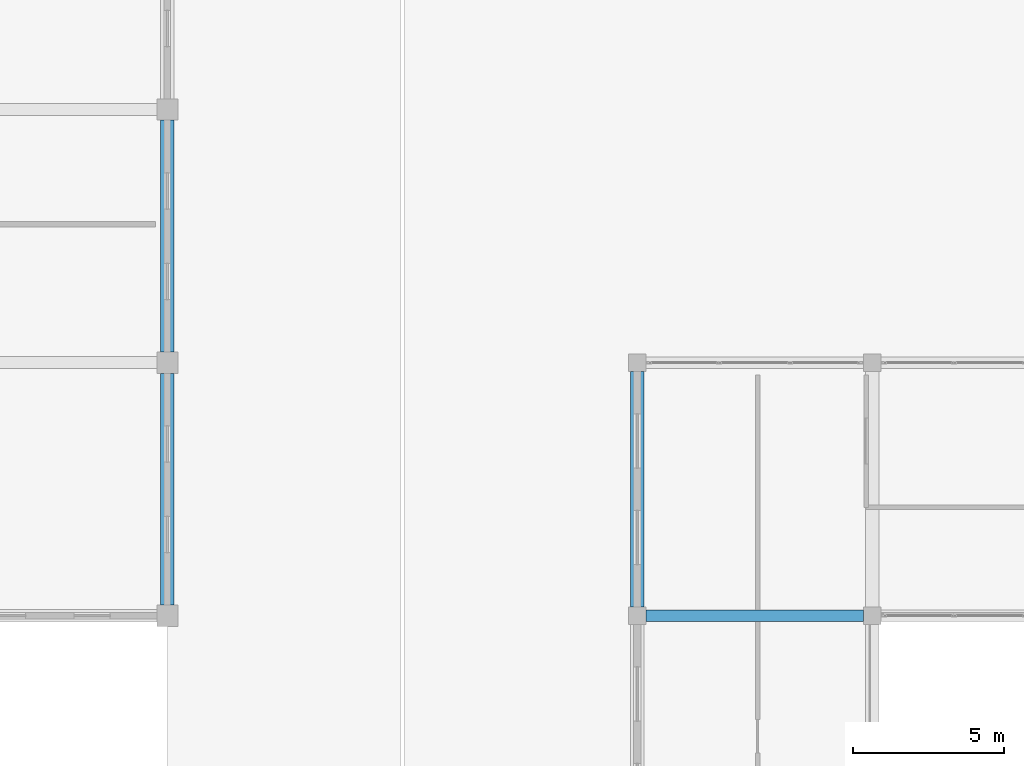
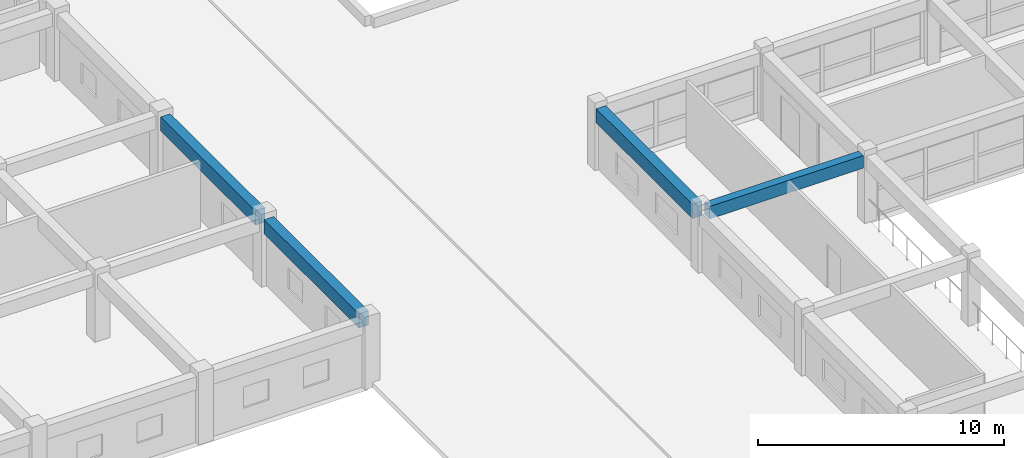
# One storey, part 65 of 101: 4 beams.
"""IFC4 building model written with IfcOpenShell, lengths in metres."""

from ifc_helpers import new_model, si_unit, direction, frame, origin, origin_2d, place, context, subcontext, project, spatial, rectangle, extrude, material, material_profile, profile_set, type_object, element, save


model = new_model("IFC4")

# Units and contexts
model_context = context("Model", 3, precision=1e-05, world=origin(), true_north=direction((0.0, 1.0)))
body_context = subcontext(model_context, "Body", "Model", "MODEL_VIEW")
ifc_project = project(units=[si_unit("LENGTHUNIT", "METRE"), si_unit("AREAUNIT", "SQUARE_METRE"), si_unit("VOLUMEUNIT", "CUBIC_METRE"), si_unit("PLANEANGLEUNIT", "RADIAN"), si_unit("MASSUNIT", "GRAM", prefix="KILO")], contexts=[model_context])

# Site, building, storey
site_placement = place(None, origin())
site = spatial("IfcSite", under=ifc_project, at=site_placement, CompositionType="ELEMENT")
building_placement = place(site_placement, origin())
building = spatial("IfcBuilding", under=site, at=building_placement, Name="Zizhar Promenade General Hospital", CompositionType="ELEMENT")
storey_placement = place(building_placement, frame((0.0, 0.0, 14.39990234375)))
storey = spatial("IfcBuildingStorey", under=building, at=storey_placement, Name="L03", CompositionType="ELEMENT", Elevation=14.39990234375)

# Beams
ifc_material_1 = material(Name="Concrete C35/45", Category="concrete")
ifc_material_profile_1 = material_profile(ifc_material_1, rectangle(XDim=0.3798828125, YDim=0.6201171875, at=origin_2d()))
ifc_profile_set_1 = profile_set([ifc_material_profile_1], Name="Concrete C35/45")
beam_type_1 = type_object("IfcBeamType", Name="BM-RC-380x620", PredefinedType="JOIST", material=ifc_profile_set_1)
beam_1_placement = place(storey_placement, frame((140.68994140625, 92.39990234375, 3.0), z_axis=(1.0, 0.0, 0.0), x_axis=(0.0, 1.0, 0.0)))
element("IfcBeam", 1, at=beam_1_placement, inside=storey, type_object=beam_type_1, Name="Grid Beam X L03 (18-11)", PredefinedType="JOIST", context=body_context, shape_type="SweptSolid", body=[
    extrude(rectangle(XDim=0.3798828125, YDim=0.6201171875, at=origin_2d()), origin(), (0.0, 0.0, 1.0), 7.219970703125),
])
ifc_material_2 = material(Name="Concrete C35/45", Category="concrete")
ifc_material_profile_2 = material_profile(ifc_material_2, rectangle(XDim=0.449951171875, YDim=0.699951171875, at=origin_2d()))
ifc_profile_set_2 = profile_set([ifc_material_profile_2], Name="Concrete C35/45")
beam_type_2 = type_object("IfcBeamType", Name="BM-RC-450x700", PredefinedType="BEAM", material=ifc_profile_set_2)
beam_2_placement = place(storey_placement, frame((124.800048828125, 92.75, 2.960205078125), z_axis=(0.0, 1.0, 0.0), x_axis=(-1.0, 0.0, 0.0)))
element("IfcBeam", 2, at=beam_2_placement, inside=storey, type_object=beam_type_2, Name="Grid Beam Y L03 (16-11)", PredefinedType="BEAM", context=body_context, shape_type="SweptSolid", body=[
    extrude(rectangle(XDim=0.449951171875, YDim=0.699951171875, at=origin_2d()), origin(), (0.0, 0.0, 1.0), 7.699951171875),
])
beam_3_placement = place(storey_placement, frame((124.800048828125, 101.14990234375, 2.960205078125), z_axis=(0.0, 1.0, 0.0), x_axis=(-1.0, 0.0, 0.0)))
element("IfcBeam", 3, at=beam_3_placement, inside=storey, type_object=beam_type_2, Name="Grid Beam Y L03 (16-12)", PredefinedType="BEAM", context=body_context, shape_type="SweptSolid", body=[
    extrude(rectangle(XDim=0.449951171875, YDim=0.699951171875, at=origin_2d()), origin(), (0.0, 0.0, 1.0), 7.7001953125),
])
beam_4_placement = place(storey_placement, frame((140.39990234375, 92.68994140625, 2.960205078125), z_axis=(0.0, 1.0, 0.0), x_axis=(-1.0, 0.0, 0.0)))
element("IfcBeam", 4, at=beam_4_placement, inside=storey, type_object=beam_type_2, Name="Grid Beam Y L03 (18-11)", PredefinedType="BEAM", context=body_context, shape_type="SweptSolid", body=[
    extrude(rectangle(XDim=0.449951171875, YDim=0.699951171875, at=origin_2d()), origin(), (0.0, 0.0, 1.0), 7.820068359375),
])

save(model, "model.ifc")
